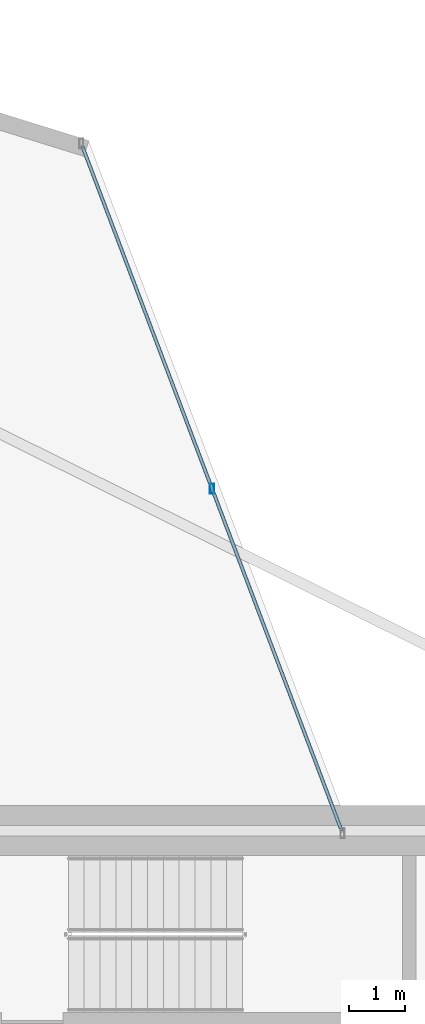
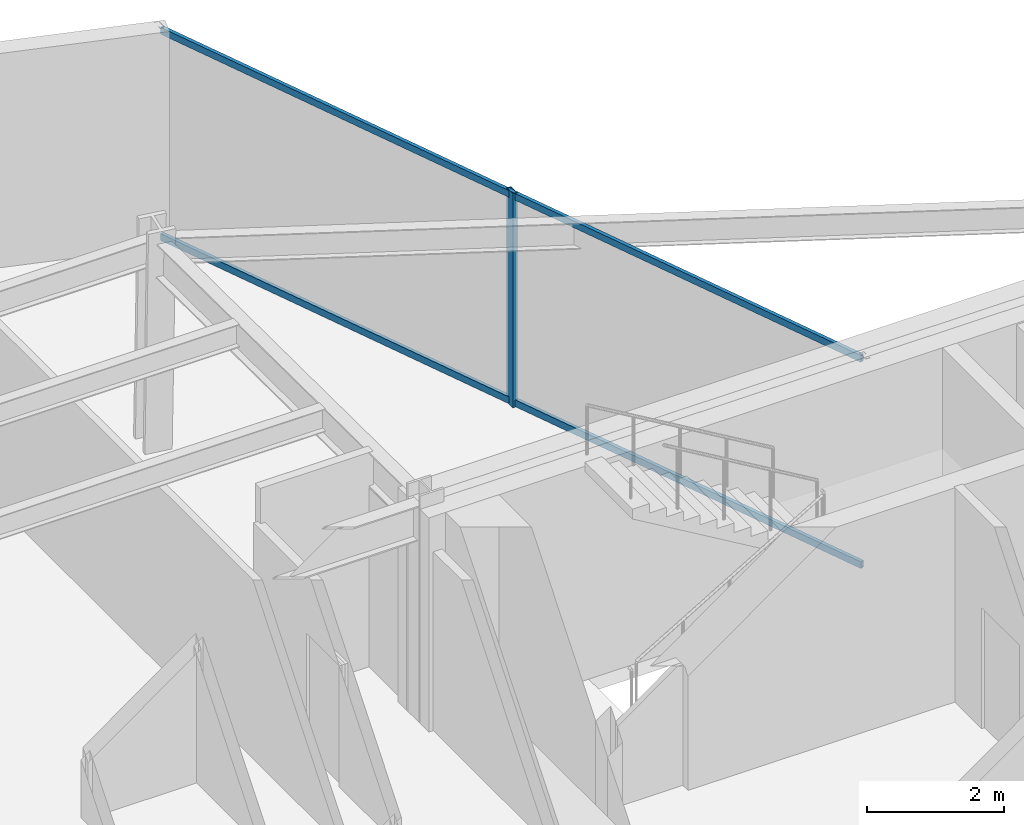
# One storey, part 20 of 28: 3 members, 1 element without a shape of its own.
"""IFC4 building model written with IfcOpenShell, lengths in metres."""

from ifc_helpers import new_model, si_unit, direction, frame, origin, origin_2d, place, context, subcontext, project, spatial, hollow_rectangle, extrude, material, layer, layer_set, material_profile, profile_set, type_object, element, aggregate, save


model = new_model("IFC4")

# Units and contexts
model_context = context("Model", 3, precision=1e-05, world=origin(), true_north=direction((0.0, 1.0)))
body_context = subcontext(model_context, "Body", "Model", "MODEL_VIEW")
ifc_project = project(units=[si_unit("LENGTHUNIT", "METRE"), si_unit("AREAUNIT", "SQUARE_METRE"), si_unit("VOLUMEUNIT", "CUBIC_METRE"), si_unit("PLANEANGLEUNIT", "RADIAN"), si_unit("MASSUNIT", "GRAM", prefix="KILO")], contexts=[model_context])

# Site, building, storey
site_placement = place(None, origin())
site = spatial("IfcSite", under=ifc_project, at=site_placement, CompositionType="ELEMENT")
building_placement = place(site_placement, origin())
building = spatial("IfcBuilding", under=site, at=building_placement, Name="Veymaron Broadcast Tower", CompositionType="ELEMENT")
storey_placement = place(building_placement, frame((0.0, 0.0, 45.89990234375)))
storey = spatial("IfcBuildingStorey", under=building, at=storey_placement, Name="L09", CompositionType="ELEMENT", Elevation=45.89990234375)

# Curtain wall, members
ifc_material_1 = material(Name="Anodised aluminium AA 6063-T6 and laminated low-E dark glass", Category="aluminium")
ifc_layer = layer(ifc_material_1, 0.179931640625)
ifc_layer_set = layer_set([ifc_layer], Name="Anodised aluminium AA 6063-T6 and laminated low-E dark glass")
curtain_wall_type = type_object("IfcCurtainWallType", Name="CW-SYS-02", PredefinedType="NOTDEFINED", material=ifc_layer_set)
curtain_wall_placement = place(storey_placement, origin())
curtain_wall = element("IfcCurtainWall", 1, at=curtain_wall_placement, inside=storey, type_object=curtain_wall_type, Name="L09 dark-glass curtain wall CW-L09-E5-1", PredefinedType="NOTDEFINED")
ifc_material_2 = material(Name="Anodised aluminium AA 6063-T6", Category="aluminium")
ifc_material_profile_1 = material_profile(ifc_material_2, hollow_rectangle(XDim=0.074951171875, YDim=0.179931640625, WallThickness=0.0048828125, at=origin_2d()), Name="AL180X75X5")
ifc_profile_set_1 = profile_set([ifc_material_profile_1], Name="Anodised aluminium AA 6063-T6")
member_type_1 = type_object("IfcMemberType", Name="CW-MUL-02", PredefinedType="MULLION", material=ifc_profile_set_1)
member_1_placement = place(storey_placement, frame((44.014892578125, 38.157470703125, 0.0), z_axis=(0.0, 0.0, 1.0), x_axis=(1.0, 0.0, 0.0)))
member_1 = element("IfcMember", 2, at=member_1_placement, type_object=member_type_1, Name="CW-L09-E5-1 mullion 1", PredefinedType="MULLION", context=body_context, shape_type="SweptSolid", body=[
    extrude(hollow_rectangle(XDim=0.074951171875, YDim=0.179931640625, WallThickness=0.0048828125, at=origin_2d()), origin(), (0.0, 0.0, 1.0), 3.81005859375),
])
ifc_material_profile_2 = material_profile(ifc_material_2, hollow_rectangle(XDim=0.06005859375, YDim=0.1201171875, WallThickness=0.00390625, at=origin_2d()), Name="AL120X60X4")
ifc_profile_set_2 = profile_set([ifc_material_profile_2], Name="Anodised aluminium AA 6063-T6")
member_type_2 = type_object("IfcMemberType", Name="CW-TRN-02", PredefinedType="USERDEFINED", material=ifc_profile_set_2)
member_2_placement = place(storey_placement, frame((46.348388671875, 31.997314453125, 0.070068359375), z_axis=(-0.354240813024, 0.935154236684, 0.0), x_axis=(-0.935154236684, -0.354240813024, 0.0)))
member_2 = element("IfcMember", 3, at=member_2_placement, type_object=member_type_2, Name="CW-L09-E5-1 transom B", ObjectType="TRANSOM", PredefinedType="USERDEFINED", context=body_context, shape_type="SweptSolid", body=[
    extrude(hollow_rectangle(XDim=0.06005859375, YDim=0.1201171875, WallThickness=0.00390625, at=origin_2d()), origin(), (0.0, 0.0, 1.0), 13.174560546875),
])
member_3_placement = place(storey_placement, frame((46.348388671875, 31.997314453125, 3.739990234375), z_axis=(-0.354240813024, 0.935154236684, 0.0), x_axis=(-0.935154236684, -0.354240813024, 0.0)))
member_3 = element("IfcMember", 4, at=member_3_placement, type_object=member_type_2, Name="CW-L09-E5-1 transom T", ObjectType="TRANSOM", PredefinedType="USERDEFINED", context=body_context, shape_type="SweptSolid", body=[
    extrude(hollow_rectangle(XDim=0.06005859375, YDim=0.1201171875, WallThickness=0.00390625, at=origin_2d()), origin(), (0.0, 0.0, 1.0), 13.174560546875),
])
aggregate(curtain_wall, [member_1, member_2, member_3])

save(model, "model.ifc")
